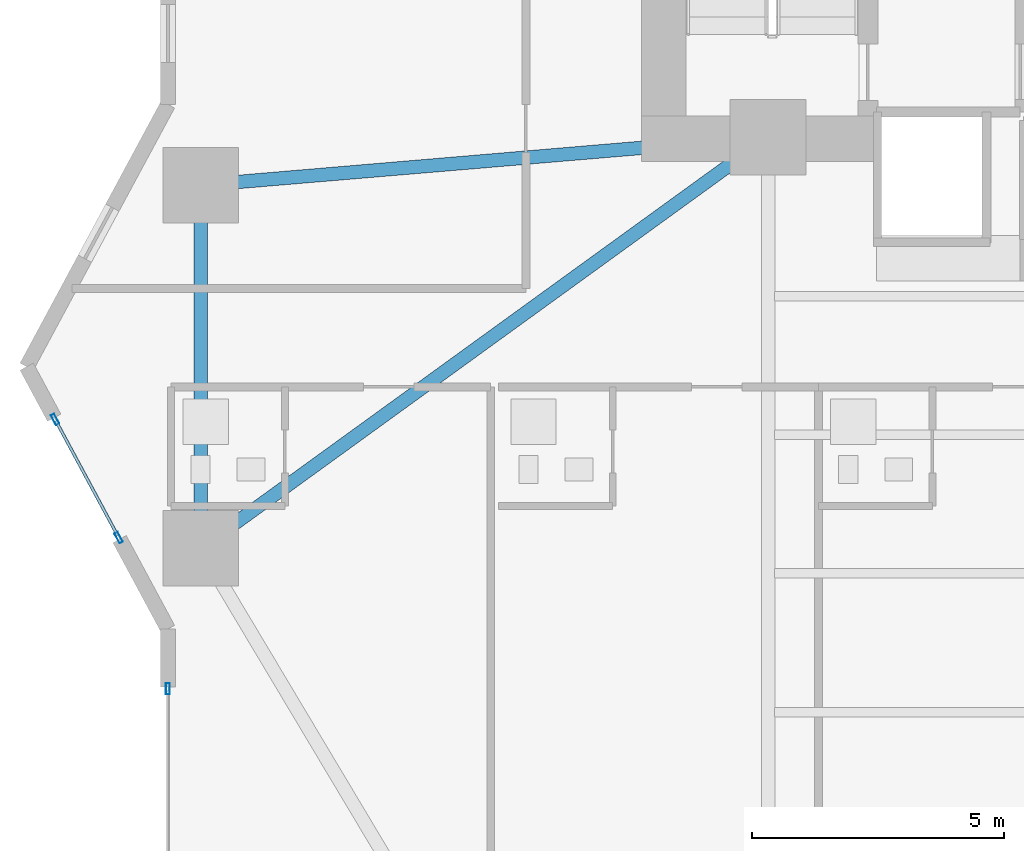
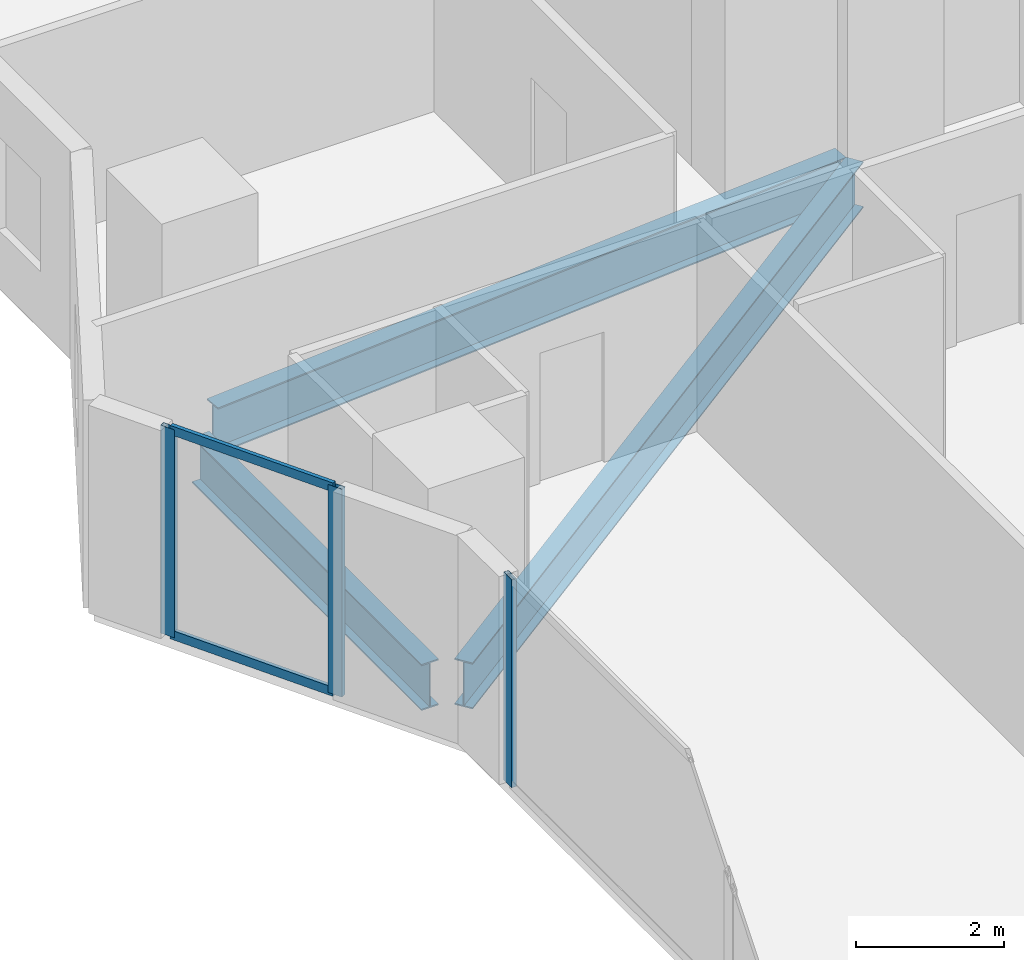
# One storey, part 6 of 28: 5 members, 3 beams, 2 elements without a shape of their own.
"""IFC4 building model written with IfcOpenShell, lengths in metres."""

from ifc_helpers import new_model, si_unit, direction, frame, origin, origin_2d, place, context, subcontext, project, spatial, hollow_rectangle, i_section, extrude, material, layer, layer_set, material_profile, profile_set, type_object, element, aggregate, save


model = new_model("IFC4")

# Units and contexts
model_context = context("Model", 3, precision=1e-05, world=origin(), true_north=direction((0.0, 1.0)))
body_context = subcontext(model_context, "Body", "Model", "MODEL_VIEW")
ifc_project = project(units=[si_unit("LENGTHUNIT", "METRE"), si_unit("AREAUNIT", "SQUARE_METRE"), si_unit("VOLUMEUNIT", "CUBIC_METRE"), si_unit("PLANEANGLEUNIT", "RADIAN"), si_unit("MASSUNIT", "GRAM", prefix="KILO")], contexts=[model_context])

# Site, building, storey
site_placement = place(None, origin())
site = spatial("IfcSite", under=ifc_project, at=site_placement, CompositionType="ELEMENT")
building_placement = place(site_placement, origin())
building = spatial("IfcBuilding", under=site, at=building_placement, Name="Zuhayl Quay Hotel", CompositionType="ELEMENT")
storey_placement = place(building_placement, frame((0.0, 0.0, 34.89990234375)))
storey = spatial("IfcBuildingStorey", under=building, at=storey_placement, Name="L07", CompositionType="ELEMENT", Elevation=34.89990234375)

# Beams
ifc_material_1 = material(Name="Steel ASTM A992 Grade 50", Category="steel")
ifc_material_profile_1 = material_profile(ifc_material_1, i_section(OverallWidth=0.26708984375, OverallDepth=0.761962890625, WebThickness=0.014404296875, FlangeThickness=0.021484375, at=origin_2d()), Name="W30X116")
ifc_profile_set_1 = profile_set([ifc_material_profile_1], Name="Steel ASTM A992 Grade 50")
beam_type = type_object("IfcBeamType", Name="BM_B1_W30X116", PredefinedType="BEAM", material=ifc_profile_set_1)
beam_1_placement = place(storey_placement, frame((-25.050048828125, 3.10009765625, -0.600830078125), z_axis=(0.0, -1.0, 0.0), x_axis=(1.0, 0.0, 0.0)))
element("IfcBeam", 1, at=beam_1_placement, inside=storey, type_object=beam_type, Name="L07 Floor Beam RG_L07_11", PredefinedType="BEAM", context=body_context, shape_type="SweptSolid", body=[
    extrude(i_section(OverallWidth=0.26708984375, OverallDepth=0.761962890625, WebThickness=0.014404296875, FlangeThickness=0.021484375, at=origin_2d()), origin(), (0.0, 0.0, 1.0), 6.2001953125),
])
beam_2_placement = place(storey_placement, frame((-24.64501953125, -3.306640625, -0.600830078125), z_axis=(0.809830244688, 0.586664277751, 0.0), x_axis=(-0.586664277751, 0.809830244688, 0.0)))
element("IfcBeam", 2, at=beam_2_placement, inside=storey, type_object=beam_type, Name="L07 Floor Beam FG_W_L07_1", PredefinedType="BEAM", context=body_context, shape_type="SweptSolid", body=[
    extrude(i_section(OverallWidth=0.26708984375, OverallDepth=0.761962890625, WebThickness=0.014404296875, FlangeThickness=0.021484375, at=origin_2d()), origin(), (0.0, 0.0, 1.0), 12.94189453125),
])
beam_3_placement = place(storey_placement, frame((-24.5517578125, 3.64208984375, -0.600830078125), z_axis=(0.996453145398, 0.084149444594, 0.0), x_axis=(-0.084149444594, 0.996453145398, 0.0)))
element("IfcBeam", 3, at=beam_3_placement, inside=storey, type_object=beam_type, Name="L07 Floor Beam FG_W_L07_2", PredefinedType="BEAM", context=body_context, shape_type="SweptSolid", body=[
    extrude(i_section(OverallWidth=0.26708984375, OverallDepth=0.761962890625, WebThickness=0.014404296875, FlangeThickness=0.021484375, at=origin_2d()), origin(), (0.0, 0.0, 1.0), 10.340087890625),
])

# Curtain wall, member
ifc_material_2 = material(Name="Anodised Aluminium 6063-T6", Category="aluminium")
ifc_layer = layer(ifc_material_2, 0.18994140625, Name="Anodised Aluminium 6063-T6", Category="aluminium")
ifc_layer_set = layer_set([ifc_layer], Name="Anodised Aluminium 6063-T6")
curtain_wall_type = type_object("IfcCurtainWallType", Name="CW_SYS_Z1", PredefinedType="USERDEFINED", material=ifc_layer_set)
curtain_wall_1_placement = place(storey_placement, origin())
curtain_wall_1 = element("IfcCurtainWall", 4, at=curtain_wall_1_placement, inside=storey, type_object=curtain_wall_type, Name="L07 Curtain Wall ENV_L07_E02_CW1", ObjectType="UNITISED CURTAIN WALL", PredefinedType="USERDEFINED")
ifc_material_3 = material(Name="Black-anodised aluminium 6063-T6", Category="aluminium")
ifc_material_profile_2 = material_profile(ifc_material_3, hollow_rectangle(XDim=0.074951171875, YDim=0.219970703125, WallThickness=0.00390625, at=origin_2d()), Name="ALU220X75")
ifc_profile_set_2 = profile_set([ifc_material_profile_2], Name="Black-anodised aluminium 6063-T6")
member_type_1 = type_object("IfcMemberType", Name="MB_CW_MUL_220", PredefinedType="MULLION", material=ifc_profile_set_2)
member_1_placement = place(storey_placement, frame((-25.699951171875, -6.387451171875, 0.0), z_axis=(0.0, 0.0, 1.0), x_axis=(-1.0, 0.0, 0.0)))
member_1 = element("IfcMember", 5, at=member_1_placement, type_object=member_type_1, Name="CW-Z1 mullion 3", PredefinedType="MULLION", context=body_context, shape_type="SweptSolid", body=[
    extrude(hollow_rectangle(XDim=0.074951171875, YDim=0.219970703125, WallThickness=0.00390625, at=origin_2d()), origin(), (0.0, 0.0, 1.0), 3.43017578125),
])
aggregate(curtain_wall_1, [member_1])

# Curtain wall, members
curtain_wall_2_placement = place(storey_placement, origin())
curtain_wall_2 = element("IfcCurtainWall", 6, at=curtain_wall_2_placement, inside=storey, type_object=curtain_wall_type, Name="L07 Curtain Wall ENV_L07_E03_CW1", ObjectType="UNITISED CURTAIN WALL", PredefinedType="USERDEFINED")
member_2_placement = place(storey_placement, frame((-26.67578125, -3.387939453125, 0.0), z_axis=(0.0, 0.0, 1.0), x_axis=(-0.880475795468, -0.474091102632, 0.0)))
member_2 = element("IfcMember", 7, at=member_2_placement, type_object=member_type_1, Name="CW-Z1 mullion 1", PredefinedType="MULLION", context=body_context, shape_type="SweptSolid", body=[
    extrude(hollow_rectangle(XDim=0.074951171875, YDim=0.219970703125, WallThickness=0.00390625, at=origin_2d()), origin(), (0.0, 0.0, 1.0), 3.43017578125),
])
member_3_placement = place(storey_placement, frame((-27.93701171875, -1.04541015625, 0.0), z_axis=(0.0, 0.0, 1.0), x_axis=(-0.880475795468, -0.474091102632, 0.0)))
member_3 = element("IfcMember", 8, at=member_3_placement, type_object=member_type_1, Name="CW-Z1 mullion 2", PredefinedType="MULLION", context=body_context, shape_type="SweptSolid", body=[
    extrude(hollow_rectangle(XDim=0.074951171875, YDim=0.219970703125, WallThickness=0.00390625, at=origin_2d()), origin(), (0.0, 0.0, 1.0), 3.43017578125),
])
ifc_material_profile_3 = material_profile(ifc_material_3, hollow_rectangle(XDim=0.06005859375, YDim=0.14990234375, WallThickness=0.00341796875, at=origin_2d()), Name="ALU150X60")
ifc_profile_set_3 = profile_set([ifc_material_profile_3], Name="Black-anodised aluminium 6063-T6")
member_type_2 = type_object("IfcMemberType", Name="MB_CW_TRN_150", PredefinedType="USERDEFINED", material=ifc_profile_set_3)
member_4_placement = place(storey_placement, frame((-26.693603515625, -3.35498046875, 0.030029296875), z_axis=(-0.474054771703, 0.880495356845, 0.0), x_axis=(-0.880495356845, -0.474054771703, 0.0)))
member_4 = element("IfcMember", 9, at=member_4_placement, type_object=member_type_2, Name="CW-Z1 transom 1.1", ObjectType="TRANSOM", PredefinedType="USERDEFINED", context=body_context, shape_type="SweptSolid", body=[
    extrude(hollow_rectangle(XDim=0.06005859375, YDim=0.14990234375, WallThickness=0.00341796875, at=origin_2d()), origin(), (0.0, 0.0, 1.0), 2.585205078125),
])
member_5_placement = place(storey_placement, frame((-26.693603515625, -3.35498046875, 3.400146484375), z_axis=(-0.474054771703, 0.880495356845, 0.0), x_axis=(-0.880495356845, -0.474054771703, 0.0)))
member_5 = element("IfcMember", 10, at=member_5_placement, type_object=member_type_2, Name="CW-Z1 transom 1.2", ObjectType="TRANSOM", PredefinedType="USERDEFINED", context=body_context, shape_type="SweptSolid", body=[
    extrude(hollow_rectangle(XDim=0.06005859375, YDim=0.14990234375, WallThickness=0.00341796875, at=origin_2d()), origin(), (0.0, 0.0, 1.0), 2.585205078125),
])
aggregate(curtain_wall_2, [member_2, member_3, member_4, member_5])

save(model, "model.ifc")
